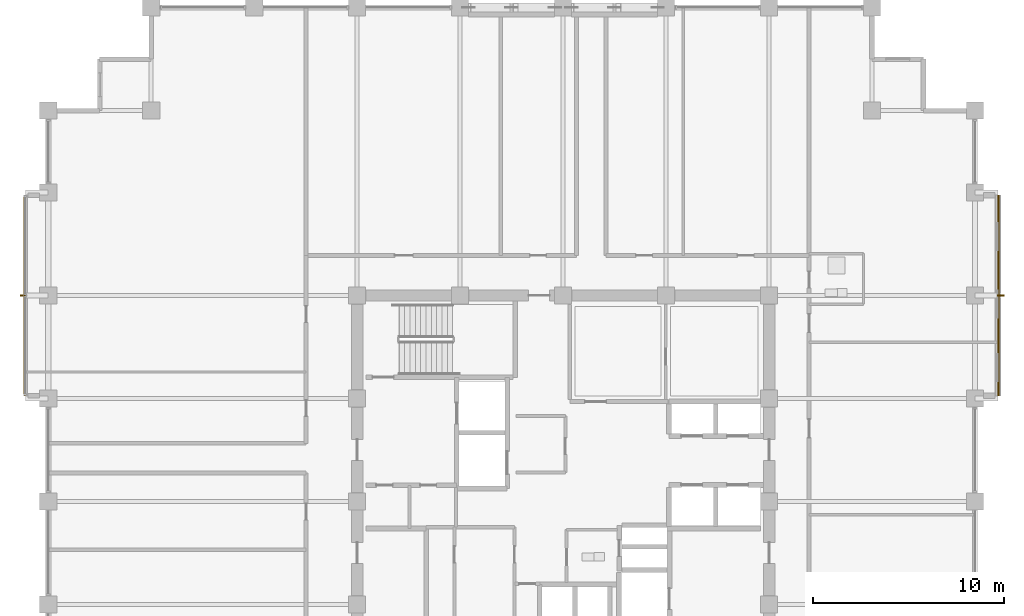
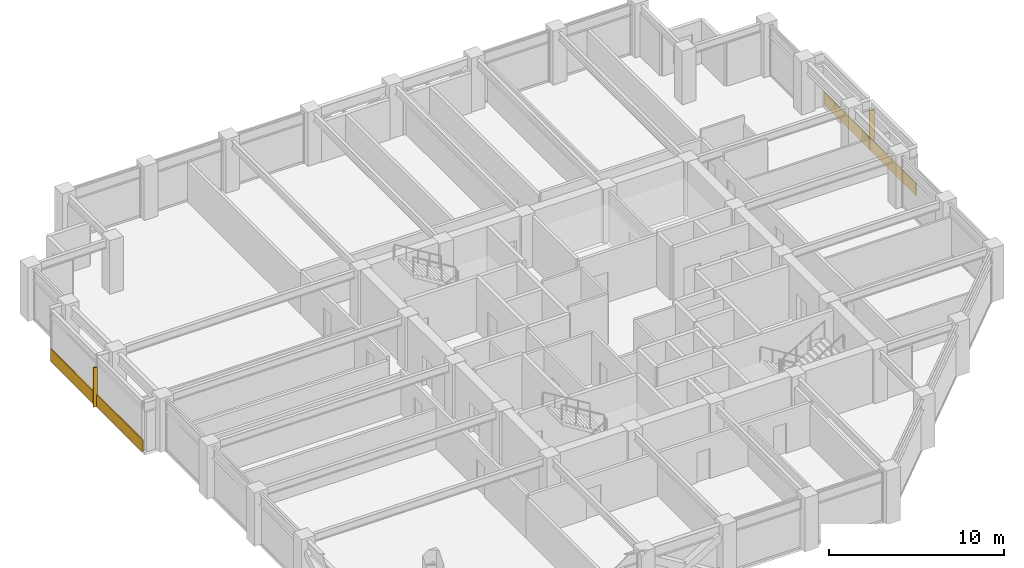
# One storey, part 31 of 32: 2 coverings, 2 shading devices.
"""IFC4 building model written with IfcOpenShell, lengths in metres."""

import ifcopenshell
import ifcopenshell.guid

model = None  # the IFC model being written
_history = None  # IfcOwnerHistory: only IFC2X3 demands one
_inside = {}  # id of a spatial element -> (the spatial element, [elements in it])
_under = {}  # id of a project, library or spatial element -> (it, [spatial elements below it])
_declared = {}  # id of a project -> (the project, [libraries it declares])
_typed = {}  # id of a type object -> (the type object, [elements of that type])
_made_of = {}  # id of a material, layer set ... -> (it, [elements and type objects made of it])


def new_model(schema):
    """Start an empty IFC model of exactly this schema.

    Asked for "IFC4X3", IfcOpenShell would pick the latest addendum, in which some entities
    have other attributes; the version numbers below select the first issue.
    IFC2X3 requires an IfcOwnerHistory on every rooted entity: one is made here for all.
    """
    global model, _history
    if schema == "IFC4X3":
        model = ifcopenshell.file(schema_version=(4, 3, 0, 0))
    else:
        model = ifcopenshell.file(schema=schema)
    _inside.clear()
    _under.clear()
    _declared.clear()
    _typed.clear()
    _made_of.clear()
    _history = None
    if model.schema == "IFC2X3":
        org = make("IfcOrganization", Name="unknown")
        user = make(
            "IfcPersonAndOrganization",
            ThePerson=make("IfcPerson", FamilyName="unknown"),
            TheOrganization=org,
        )
        app = make(
            "IfcApplication",
            ApplicationDeveloper=org,
            Version="unknown",
            ApplicationFullName="unknown",
            ApplicationIdentifier="unknown",
        )
        _history = make(
            "IfcOwnerHistory",
            OwningUser=user,
            OwningApplication=app,
            ChangeAction="ADDED",
            CreationDate=0,
        )
    return model


def make(cls, **values):
    """One entity of the class cls with the attributes given. An attribute that is None is left unset."""
    return model.create_entity(
        cls, **{name: value for name, value in values.items() if value is not None}
    )


def rooted(cls, **values):
    """An entity with a GlobalId (a new one), such as an element, a storey or a relation."""
    return make(cls, GlobalId=ifcopenshell.guid.new(), OwnerHistory=_history, **values)


def si_unit(unit_type, name, prefix=None):
    """IfcSIUnit, for example si_unit("LENGTHUNIT", "METRE", prefix="MILLI")."""
    return make("IfcSIUnit", UnitType=unit_type, Prefix=prefix, Name=name)


def assignment(units):
    """IfcUnitAssignment: the units of a project."""
    return None if units is None else make("IfcUnitAssignment", Units=units)


def point(xyz):
    """IfcCartesianPoint."""
    return None if xyz is None else make("IfcCartesianPoint", Coordinates=xyz)


def direction(xyz):
    """IfcDirection."""
    return None if xyz is None else make("IfcDirection", DirectionRatios=xyz)


def frame(location, z_axis=None, x_axis=None):
    """IfcAxis2Placement3D, a coordinate frame: its origin and axes. An axis left out is left unset."""
    return make(
        "IfcAxis2Placement3D",
        Location=point(location),
        Axis=direction(z_axis),
        RefDirection=direction(x_axis),
    )


def frame_2d(location, x_axis=None):
    """IfcAxis2Placement2D, a coordinate frame in the plane: its origin and x axis."""
    return make(
        "IfcAxis2Placement2D", Location=point(location), RefDirection=direction(x_axis)
    )


def origin():
    """The frame at (0, 0, 0) with its axes left unset."""
    return frame((0.0, 0.0, 0.0))


def origin_2d():
    """The frame at (0, 0) in the plane with its x axis left unset."""
    return frame_2d((0.0, 0.0))


def place(relative_to, where):
    """IfcLocalPlacement: puts the frame where relative to a parent placement (None: the world)."""
    return make(
        "IfcLocalPlacement", PlacementRelTo=relative_to, RelativePlacement=where
    )


def context(
    kind, dimensions, precision=None, world=None, true_north=None, identifier=None
):
    """IfcGeometricRepresentationContext, for example the 3D "Model" context."""
    return make(
        "IfcGeometricRepresentationContext",
        ContextIdentifier=identifier,
        ContextType=kind,
        CoordinateSpaceDimension=dimensions,
        Precision=precision,
        WorldCoordinateSystem=world,
        TrueNorth=true_north,
    )


def subcontext(parent, identifier, kind, view, scale=None):
    """IfcGeometricRepresentationSubContext, for example "Body" below "Model"."""
    return make(
        "IfcGeometricRepresentationSubContext",
        ContextIdentifier=identifier,
        ContextType=kind,
        ParentContext=parent,
        TargetScale=scale,
        TargetView=view,
    )


def project(units=None, contexts=None):
    """IfcProject with its units and contexts."""
    return rooted(
        "IfcProject",
        Name="project",
        RepresentationContexts=contexts,
        UnitsInContext=assignment(units),
    )


def spatial(cls, under=None, at=None, **own):
    """A site, building, storey or space (cls), placed at a placement, below another one or the project."""
    s = rooted(cls, ObjectPlacement=at, **own)
    if under is not None:
        _under.setdefault(under.id(), (under, []))[1].append(s)
    return s


def profile(cls, at=None, kind="AREA", **sizes):
    """A parametric profile (cls). Its sizes go by their IFC names, for example OverallWidth=200.0."""
    return make(cls, ProfileType=kind, Position=at, **sizes)


def rectangle(**sizes):
    """IfcRectangleProfileDef."""
    return profile("IfcRectangleProfileDef", **sizes)


def extrude(swept, where, along, depth):
    """IfcExtrudedAreaSolid: the profile swept, set in the frame where, extruded along a direction by depth."""
    return make(
        "IfcExtrudedAreaSolid",
        SweptArea=swept,
        Position=where,
        ExtrudedDirection=direction(along),
        Depth=depth,
    )


def shape(context_of_items, identifier, shape_type, items):
    """IfcShapeRepresentation: the items that make up one representation, for example the "Body"."""
    return make(
        "IfcShapeRepresentation",
        ContextOfItems=context_of_items,
        RepresentationIdentifier=identifier,
        RepresentationType=shape_type,
        Items=items,
    )


def material(Name=None, Category=None):
    """IfcMaterial."""
    return make("IfcMaterial", Name=Name, Category=Category)


def layer(
    of_material, thickness, ventilated=None, Name=None, Category=None, Priority=None
):
    """IfcMaterialLayer: one layer of a wall or slab, of a material (None: an air gap)."""
    return make(
        "IfcMaterialLayer",
        Material=of_material,
        LayerThickness=thickness,
        IsVentilated=ventilated,
        Name=Name,
        Category=Category,
        Priority=Priority,
    )


def layer_set(layers, Name=None):
    """IfcMaterialLayerSet."""
    return make("IfcMaterialLayerSet", MaterialLayers=layers, LayerSetName=Name)


def made_of(thing, what):
    """Note that an element or type object is made of a material, layer set ...; save() writes the relation."""
    if what is not None:
        _made_of.setdefault(what.id(), (what, []))[1].append(thing)
    return thing


def type_object(cls, material=None, **own):
    """A type object (cls), such as IfcWallType, which elements share."""
    return made_of(rooted(cls, **own), material)


def element(
    cls,
    number,
    at=None,
    inside=None,
    cuts=None,
    type_object=None,
    material=None,
    context=None,
    identifier="Body",
    shape_type=None,
    held_by="IfcProductDefinitionShape",
    body=None,
    shapes=None,
    **own,
):
    """One element of the class cls, such as IfcWall. Its Tag is "e" and its number.

    at: its placement. inside: the storey or other place that contains it. cuts: it is an
    opening in that element (IfcRelVoidsElement). A single representation is given by context,
    identifier, shape_type and body (its items); several are given by shapes. held_by: the class
    of the entity that holds the representations. save() writes the other relations.
    """
    e = rooted(cls, Tag="e%d" % number, ObjectPlacement=at, **own)
    if body is not None:
        shapes = [shape(context, identifier, shape_type, body)]
    if shapes is not None:
        e.Representation = make(held_by, Representations=shapes)
    if inside is not None:
        _inside.setdefault(inside.id(), (inside, []))[1].append(e)
    if cuts is not None:
        rooted(
            "IfcRelVoidsElement", RelatingBuildingElement=cuts, RelatedOpeningElement=e
        )
    if type_object is not None:
        _typed.setdefault(type_object.id(), (type_object, []))[1].append(e)
    return made_of(e, material)


def aggregate(whole, parts):
    """IfcRelAggregates: a whole, such as a stair, and the parts it consists of."""
    return rooted("IfcRelAggregates", RelatingObject=whole, RelatedObjects=parts)


def save(model, path):
    """Write the relations noted so far, then the file.

    IfcRelAggregates (storeys below a building ...), IfcRelContainedInSpatialStructure (elements
    in a storey), IfcRelDefinesByType, IfcRelAssociatesMaterial and IfcRelDeclares: one each for
    every whole, place, type object, material and project.
    """
    for whole, parts in _under.values():
        aggregate(whole, parts)
    for where, things in _inside.values():
        rooted(
            "IfcRelContainedInSpatialStructure",
            RelatedElements=things,
            RelatingStructure=where,
        )
    for kind, things in _typed.values():
        rooted("IfcRelDefinesByType", RelatedObjects=things, RelatingType=kind)
    for what, things in _made_of.values():
        rooted("IfcRelAssociatesMaterial", RelatedObjects=things, RelatingMaterial=what)
    for by, libraries in _declared.values():
        rooted("IfcRelDeclares", RelatingContext=by, RelatedDefinitions=libraries)
    model.write(path)


model = new_model("IFC4")

# Units and contexts
model_context = context("Model", 3, precision=1e-05, world=origin(), true_north=direction((0.0, 1.0)))
body_context = subcontext(model_context, "Body", "Model", "MODEL_VIEW")
ifc_project = project(units=[si_unit("LENGTHUNIT", "METRE"), si_unit("AREAUNIT", "SQUARE_METRE"), si_unit("VOLUMEUNIT", "CUBIC_METRE"), si_unit("PLANEANGLEUNIT", "RADIAN"), si_unit("MASSUNIT", "GRAM", prefix="KILO")], contexts=[model_context])

# Site, building, storey
site_placement = place(None, origin())
site = spatial("IfcSite", under=ifc_project, at=site_placement, CompositionType="ELEMENT")
building_placement = place(site_placement, origin())
building = spatial("IfcBuilding", under=site, at=building_placement, Name="Surkhivell Harbour Commons", CompositionType="ELEMENT")
storey_placement = place(building_placement, frame((0.0, 0.0, 189.75)))
storey = spatial("IfcBuildingStorey", under=building, at=storey_placement, Name="L49", CompositionType="ELEMENT", Elevation=189.75)

# Coverings
ifc_material_1 = material(Name="Cobalt-azure enamelled aluminium cassette panel", Category="aluminium")
ifc_layer_1 = layer(ifc_material_1, 0.072021484375)
ifc_layer_set_1 = layer_set([ifc_layer_1], Name="Cobalt-azure enamelled aluminium cassette panel")
covering_type_1 = type_object("IfcCoveringType", Name="COV-CLAD-COB", PredefinedType="CLADDING", material=ifc_layer_set_1)
covering_1_placement = place(storey_placement, frame((-28.239990234375, 10.800048828125, 0.0), z_axis=(0.0, 0.0, 1.0), x_axis=(1.0, 0.0, 0.0)))
element("IfcCovering", 1, at=covering_1_placement, inside=storey, type_object=covering_type_1, Name="L49 Coloured-Panel Box Spandrel Cassette 02", PredefinedType="CLADDING", context=body_context, shape_type="SweptSolid", body=[
    extrude(rectangle(XDim=0.080078125, YDim=10.5, at=origin_2d()), origin(), (0.0, 0.0, 1.0), 0.840087890625),
])
ifc_material_2 = material(Name="Emerald-teal enamelled aluminium cassette panel", Category="aluminium")
ifc_layer_2 = layer(ifc_material_2, 0.068115234375)
ifc_layer_set_2 = layer_set([ifc_layer_2], Name="Emerald-teal enamelled aluminium cassette panel")
covering_type_2 = type_object("IfcCoveringType", Name="COV-CLAD-EME", PredefinedType="CLADDING", material=ifc_layer_set_2)
covering_2_placement = place(storey_placement, frame((22.840087890625, 10.800048828125, 0.0), z_axis=(0.0, 0.0, 1.0), x_axis=(1.0, 0.0, 0.0)))
element("IfcCovering", 2, at=covering_2_placement, inside=storey, type_object=covering_type_2, Name="L49 Coloured-Panel Box Spandrel Cassette 01", PredefinedType="CLADDING", context=body_context, shape_type="SweptSolid", body=[
    extrude(rectangle(XDim=0.080078125, YDim=10.5, at=origin_2d()), origin(), (0.0, 0.0, 1.0), 0.840087890625),
])

# Shading devices
ifc_material_3 = material(Name="Champagne anodised aluminium solar fin", Category="aluminium")
shading_device_type_1 = type_object("IfcShadingDeviceType", Name="SHD-FIN-SLIM", PredefinedType="USERDEFINED", material=ifc_material_3)
shading_device_1_placement = place(storey_placement, frame((-28.340087890625, 10.800048828125, 0.0048828125), z_axis=(0.0, 0.0, 1.0), x_axis=(1.0, 0.0, 0.0)))
element("IfcShadingDevice", 3, at=shading_device_1_placement, inside=storey, type_object=shading_device_type_1, Name="L49 Coloured-Box Solar Fin 02", ObjectType="FIN", PredefinedType="USERDEFINED", context=body_context, shape_type="SweptSolid", body=[
    extrude(rectangle(XDim=0.280029296875, YDim=0.080078125, at=origin_2d()), origin(), (0.0, 0.0, 1.0), 2.75),
])
ifc_material_4 = material(Name="Anodised pale-metal aluminium solar fin", Category="aluminium")
shading_device_type_2 = type_object("IfcShadingDeviceType", Name="SHD-FIN-VERT", PredefinedType="USERDEFINED", material=ifc_material_4)
shading_device_2_placement = place(storey_placement, frame((22.93994140625, 10.800048828125, 0.0048828125), z_axis=(0.0, 0.0, 1.0), x_axis=(1.0, 0.0, 0.0)))
element("IfcShadingDevice", 4, at=shading_device_2_placement, inside=storey, type_object=shading_device_type_2, Name="L49 Coloured-Box Solar Fin 01", ObjectType="FIN", PredefinedType="USERDEFINED", context=body_context, shape_type="SweptSolid", body=[
    extrude(rectangle(XDim=0.360107421875, YDim=0.090087890625, at=origin_2d()), origin(), (0.0, 0.0, 1.0), 2.75),
])

save(model, "model.ifc")
